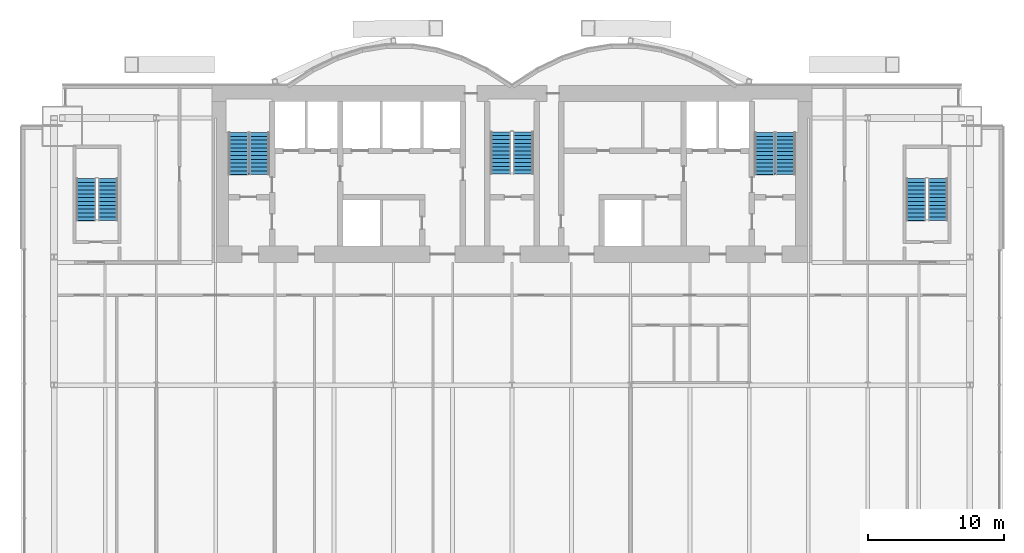
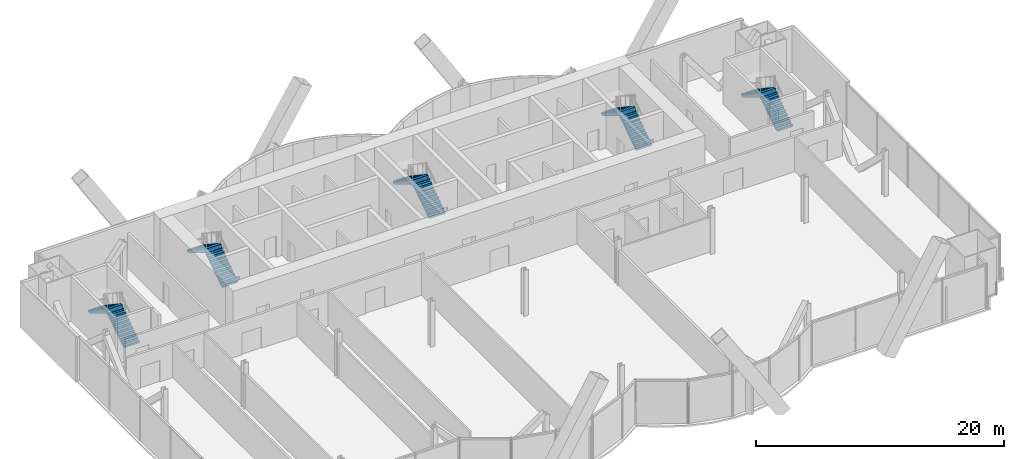
# One storey, part 19 of 22: 10 stair flights, 5 elements without a shape of their own.
"""IFC4 building model written with IfcOpenShell, lengths in metres."""

from ifc_helpers import new_model, si_unit, direction, frame, origin, place, context, subcontext, project, spatial, polyline, outline, extrude, material, type_object, element, aggregate, save


model = new_model("IFC4")

# Units and contexts
model_context = context("Model", 3, precision=1e-05, world=origin(), true_north=direction((0.0, 1.0)))
body_context = subcontext(model_context, "Body", "Model", "MODEL_VIEW")
ifc_project = project(units=[si_unit("LENGTHUNIT", "METRE"), si_unit("AREAUNIT", "SQUARE_METRE"), si_unit("VOLUMEUNIT", "CUBIC_METRE"), si_unit("PLANEANGLEUNIT", "RADIAN"), si_unit("MASSUNIT", "GRAM", prefix="KILO")], contexts=[model_context])

# Site, building, storey
site_placement = place(None, origin())
site = spatial("IfcSite", under=ifc_project, at=site_placement, CompositionType="ELEMENT")
building_placement = place(site_placement, origin())
building = spatial("IfcBuilding", under=site, at=building_placement, Name="Bicima Exchange Tower", CompositionType="ELEMENT")
storey_placement = place(building_placement, frame((0.0, 0.0, 71.0)))
storey = spatial("IfcBuildingStorey", under=building, at=storey_placement, Name="L14", CompositionType="ELEMENT", Elevation=71.0)

# Stair, stair flights
ifc_material = material(Name="Concrete C50/60", Category="concrete")
stair_type_1 = type_object("IfcStairType", Name="Exit stair", PredefinedType="HALF_TURN_STAIR", material=ifc_material)
stair_1_placement = place(storey_placement, origin())
stair_1 = element("IfcStair", 1, at=stair_1_placement, inside=storey, type_object=stair_type_1, Name="L14 West exit stair", PredefinedType="HALF_TURN_STAIR")
stair_flight_type_1 = type_object("IfcStairFlightType", Name="Stair flight RC", PredefinedType="STRAIGHT", material=ifc_material)
stair_flight_1_placement = place(storey_placement, frame((-18.52490234375, -6.550048828125, 0.0), z_axis=(0.0, 0.0, 1.0), x_axis=(0.0, 1.0, 0.0)))
stair_flight_1 = element("IfcStairFlight", 2, at=stair_flight_1_placement, type_object=stair_flight_type_1, Name="ST-W flight 1", NumberOfRisers=12, NumberOfTreads=11, PredefinedType="STRAIGHT", RiserHeight=0.1875, TreadLength=0.28, context=body_context, shape_type="SweptSolid", body=[
    extrude(outline(polyline([(0.0, 0.0), (0.0, 0.1875), (0.280029296875, 0.1875), (0.280029296875, 0.375), (0.56005859375, 0.375), (0.56005859375, 0.5625), (0.840087890625, 0.5625), (0.840087890625, 0.75), (1.1201171875, 0.75), (1.1201171875, 0.9375), (1.39990234375, 0.9375), (1.39990234375, 1.125), (1.679931640625, 1.125), (1.679931640625, 1.3125), (1.9599609375, 1.3125), (1.9599609375, 1.5), (2.239990234375, 1.5), (2.239990234375, 1.6875), (2.52001953125, 1.6875), (2.52001953125, 1.875), (2.800048828125, 1.875), (2.800048828125, 2.0625), (3.080078125, 2.0625), (3.080078125, 2.25), (3.080078125, 1.882080078125), (0.26953125, 0.0), (0.0, 0.0)])), frame((0.0, 0.72509765625, 0.0), z_axis=(0.0, -1.0, 0.0), x_axis=(1.0, 0.0, 0.0)), (0.0, 0.0, 1.0), 1.449951171875),
])
stair_flight_2_placement = place(storey_placement, frame((-20.074951171875, -3.469970703125, 2.25), z_axis=(0.0, 0.0, 1.0), x_axis=(0.0, -1.0, 0.0)))
stair_flight_2 = element("IfcStairFlight", 3, at=stair_flight_2_placement, type_object=stair_flight_type_1, Name="ST-W flight 2", NumberOfRisers=12, NumberOfTreads=11, PredefinedType="STRAIGHT", RiserHeight=0.1875, TreadLength=0.28, context=body_context, shape_type="SweptSolid", body=[
    extrude(outline(polyline([(0.0, 0.0), (0.0, 0.1875), (0.280029296875, 0.1875), (0.280029296875, 0.375), (0.56005859375, 0.375), (0.56005859375, 0.5625), (0.840087890625, 0.5625), (0.840087890625, 0.75), (1.1201171875, 0.75), (1.1201171875, 0.9375), (1.39990234375, 0.9375), (1.39990234375, 1.125), (1.679931640625, 1.125), (1.679931640625, 1.3125), (1.9599609375, 1.3125), (1.9599609375, 1.5), (2.239990234375, 1.5), (2.239990234375, 1.6875), (2.52001953125, 1.6875), (2.52001953125, 1.875), (2.800048828125, 1.875), (2.800048828125, 2.0625), (3.080078125, 2.0625), (3.080078125, 2.10400390625), (3.094970703125, 2.10400390625), (3.094970703125, 1.70458984375), (0.26953125, 0.0), (0.0, 0.0)])), frame((0.0, 0.72509765625, 0.0), z_axis=(0.0, -1.0, 0.0), x_axis=(1.0, 0.0, 0.0)), (0.0, 0.0, 1.0), 1.449951171875),
])
aggregate(stair_1, [stair_flight_1, stair_flight_2])

stair_2_placement = place(storey_placement, origin())
stair_2 = element("IfcStair", 4, at=stair_2_placement, inside=storey, type_object=stair_type_1, Name="L14 East exit stair", PredefinedType="HALF_TURN_STAIR")
stair_flight_3_placement = place(storey_placement, frame((20.074951171875, -6.550048828125, 0.0), z_axis=(0.0, 0.0, 1.0), x_axis=(0.0, 1.0, 0.0)))
stair_flight_3 = element("IfcStairFlight", 5, at=stair_flight_3_placement, type_object=stair_flight_type_1, Name="ST-E flight 1", NumberOfRisers=12, NumberOfTreads=11, PredefinedType="STRAIGHT", RiserHeight=0.1875, TreadLength=0.28, context=body_context, shape_type="SweptSolid", body=[
    extrude(outline(polyline([(0.0, 0.0), (0.0, 0.1875), (0.280029296875, 0.1875), (0.280029296875, 0.375), (0.56005859375, 0.375), (0.56005859375, 0.5625), (0.840087890625, 0.5625), (0.840087890625, 0.75), (1.1201171875, 0.75), (1.1201171875, 0.9375), (1.39990234375, 0.9375), (1.39990234375, 1.125), (1.679931640625, 1.125), (1.679931640625, 1.3125), (1.9599609375, 1.3125), (1.9599609375, 1.5), (2.239990234375, 1.5), (2.239990234375, 1.6875), (2.52001953125, 1.6875), (2.52001953125, 1.875), (2.800048828125, 1.875), (2.800048828125, 2.0625), (3.080078125, 2.0625), (3.080078125, 2.25), (3.080078125, 1.882080078125), (0.26953125, 0.0), (0.0, 0.0)])), frame((0.0, 0.72509765625, 0.0), z_axis=(0.0, -1.0, 0.0), x_axis=(1.0, 0.0, 0.0)), (0.0, 0.0, 1.0), 1.449951171875),
])
stair_flight_4_placement = place(storey_placement, frame((18.52490234375, -3.469970703125, 2.25), z_axis=(0.0, 0.0, 1.0), x_axis=(0.0, -1.0, 0.0)))
stair_flight_4 = element("IfcStairFlight", 6, at=stair_flight_4_placement, type_object=stair_flight_type_1, Name="ST-E flight 2", NumberOfRisers=12, NumberOfTreads=11, PredefinedType="STRAIGHT", RiserHeight=0.1875, TreadLength=0.28, context=body_context, shape_type="SweptSolid", body=[
    extrude(outline(polyline([(0.0, 0.0), (0.0, 0.1875), (0.280029296875, 0.1875), (0.280029296875, 0.375), (0.56005859375, 0.375), (0.56005859375, 0.5625), (0.840087890625, 0.5625), (0.840087890625, 0.75), (1.1201171875, 0.75), (1.1201171875, 0.9375), (1.39990234375, 0.9375), (1.39990234375, 1.125), (1.679931640625, 1.125), (1.679931640625, 1.3125), (1.9599609375, 1.3125), (1.9599609375, 1.5), (2.239990234375, 1.5), (2.239990234375, 1.6875), (2.52001953125, 1.6875), (2.52001953125, 1.875), (2.800048828125, 1.875), (2.800048828125, 2.0625), (3.080078125, 2.0625), (3.080078125, 2.10400390625), (3.094970703125, 2.10400390625), (3.094970703125, 1.70458984375), (0.26953125, 0.0), (0.0, 0.0)])), frame((0.0, 0.72509765625, 0.0), z_axis=(0.0, -1.0, 0.0), x_axis=(1.0, 0.0, 0.0)), (0.0, 0.0, 1.0), 1.449951171875),
])
aggregate(stair_2, [stair_flight_3, stair_flight_4])

stair_3_placement = place(storey_placement, origin())
stair_3 = element("IfcStair", 7, at=stair_3_placement, inside=storey, type_object=stair_type_1, Name="L14 West end exit stair", PredefinedType="HALF_TURN_STAIR")
stair_flight_5_placement = place(storey_placement, frame((-29.64990234375, -9.925048828125, 0.0), z_axis=(0.0, 0.0, 1.0), x_axis=(0.0, 1.0, 0.0)))
stair_flight_5 = element("IfcStairFlight", 8, at=stair_flight_5_placement, type_object=stair_flight_type_1, Name="ST-WW flight 1", NumberOfRisers=12, NumberOfTreads=11, PredefinedType="STRAIGHT", RiserHeight=0.1875, TreadLength=0.28, context=body_context, shape_type="SweptSolid", body=[
    extrude(outline(polyline([(0.0, 0.0), (0.0, 0.1875), (0.280029296875, 0.1875), (0.280029296875, 0.375), (0.56005859375, 0.375), (0.56005859375, 0.5625), (0.840087890625, 0.5625), (0.840087890625, 0.75), (1.1201171875, 0.75), (1.1201171875, 0.9375), (1.39990234375, 0.9375), (1.39990234375, 1.125), (1.679931640625, 1.125), (1.679931640625, 1.3125), (1.9599609375, 1.3125), (1.9599609375, 1.5), (2.239990234375, 1.5), (2.239990234375, 1.6875), (2.52001953125, 1.6875), (2.52001953125, 1.875), (2.800048828125, 1.875), (2.800048828125, 2.0625), (3.080078125, 2.0625), (3.080078125, 2.25), (3.080078125, 1.882080078125), (0.26953125, 0.0), (0.0, 0.0)])), frame((0.0, 0.72509765625, 0.0), z_axis=(0.0, -1.0, 0.0), x_axis=(1.0, 0.0, 0.0)), (0.0, 0.0, 1.0), 1.449951171875),
])
stair_flight_6_placement = place(storey_placement, frame((-31.25, -6.844970703125, 2.25), z_axis=(0.0, 0.0, 1.0), x_axis=(0.0, -1.0, 0.0)))
stair_flight_6 = element("IfcStairFlight", 9, at=stair_flight_6_placement, type_object=stair_flight_type_1, Name="ST-WW flight 2", NumberOfRisers=12, NumberOfTreads=11, PredefinedType="STRAIGHT", RiserHeight=0.1875, TreadLength=0.28, context=body_context, shape_type="SweptSolid", body=[
    extrude(outline(polyline([(0.0, 0.0), (0.0, 0.1875), (0.280029296875, 0.1875), (0.280029296875, 0.375), (0.56005859375, 0.375), (0.56005859375, 0.5625), (0.840087890625, 0.5625), (0.840087890625, 0.75), (1.1201171875, 0.75), (1.1201171875, 0.9375), (1.39990234375, 0.9375), (1.39990234375, 1.125), (1.679931640625, 1.125), (1.679931640625, 1.3125), (1.9599609375, 1.3125), (1.9599609375, 1.5), (2.239990234375, 1.5), (2.239990234375, 1.6875), (2.52001953125, 1.6875), (2.52001953125, 1.875), (2.800048828125, 1.875), (2.800048828125, 2.0625), (3.080078125, 2.0625), (3.080078125, 2.10400390625), (3.094970703125, 2.10400390625), (3.094970703125, 1.70458984375), (0.26953125, 0.0), (0.0, 0.0)])), frame((0.0, 0.72509765625, 0.0), z_axis=(0.0, -1.0, 0.0), x_axis=(1.0, 0.0, 0.0)), (0.0, 0.0, 1.0), 1.449951171875),
])
aggregate(stair_3, [stair_flight_5, stair_flight_6])

stair_4_placement = place(storey_placement, origin())
stair_4 = element("IfcStair", 10, at=stair_4_placement, inside=storey, type_object=stair_type_1, Name="L14 East end exit stair", PredefinedType="HALF_TURN_STAIR")
stair_flight_7_placement = place(storey_placement, frame((31.25, -9.925048828125, 0.0), z_axis=(0.0, 0.0, 1.0), x_axis=(0.0, 1.0, 0.0)))
stair_flight_7 = element("IfcStairFlight", 11, at=stair_flight_7_placement, type_object=stair_flight_type_1, Name="ST-EE flight 1", NumberOfRisers=12, NumberOfTreads=11, PredefinedType="STRAIGHT", RiserHeight=0.1875, TreadLength=0.28, context=body_context, shape_type="SweptSolid", body=[
    extrude(outline(polyline([(0.0, 0.0), (0.0, 0.1875), (0.280029296875, 0.1875), (0.280029296875, 0.375), (0.56005859375, 0.375), (0.56005859375, 0.5625), (0.840087890625, 0.5625), (0.840087890625, 0.75), (1.1201171875, 0.75), (1.1201171875, 0.9375), (1.39990234375, 0.9375), (1.39990234375, 1.125), (1.679931640625, 1.125), (1.679931640625, 1.3125), (1.9599609375, 1.3125), (1.9599609375, 1.5), (2.239990234375, 1.5), (2.239990234375, 1.6875), (2.52001953125, 1.6875), (2.52001953125, 1.875), (2.800048828125, 1.875), (2.800048828125, 2.0625), (3.080078125, 2.0625), (3.080078125, 2.25), (3.080078125, 1.882080078125), (0.26953125, 0.0), (0.0, 0.0)])), frame((0.0, 0.72509765625, 0.0), z_axis=(0.0, -1.0, 0.0), x_axis=(1.0, 0.0, 0.0)), (0.0, 0.0, 1.0), 1.449951171875),
])
stair_flight_8_placement = place(storey_placement, frame((29.64990234375, -6.844970703125, 2.25), z_axis=(0.0, 0.0, 1.0), x_axis=(0.0, -1.0, 0.0)))
stair_flight_8 = element("IfcStairFlight", 12, at=stair_flight_8_placement, type_object=stair_flight_type_1, Name="ST-EE flight 2", NumberOfRisers=12, NumberOfTreads=11, PredefinedType="STRAIGHT", RiserHeight=0.1875, TreadLength=0.28, context=body_context, shape_type="SweptSolid", body=[
    extrude(outline(polyline([(0.0, 0.0), (0.0, 0.1875), (0.280029296875, 0.1875), (0.280029296875, 0.375), (0.56005859375, 0.375), (0.56005859375, 0.5625), (0.840087890625, 0.5625), (0.840087890625, 0.75), (1.1201171875, 0.75), (1.1201171875, 0.9375), (1.39990234375, 0.9375), (1.39990234375, 1.125), (1.679931640625, 1.125), (1.679931640625, 1.3125), (1.9599609375, 1.3125), (1.9599609375, 1.5), (2.239990234375, 1.5), (2.239990234375, 1.6875), (2.52001953125, 1.6875), (2.52001953125, 1.875), (2.800048828125, 1.875), (2.800048828125, 2.0625), (3.080078125, 2.0625), (3.080078125, 2.10400390625), (3.094970703125, 2.10400390625), (3.094970703125, 1.70458984375), (0.26953125, 0.0), (0.0, 0.0)])), frame((0.0, 0.72509765625, 0.0), z_axis=(0.0, -1.0, 0.0), x_axis=(1.0, 0.0, 0.0)), (0.0, 0.0, 1.0), 1.449951171875),
])
aggregate(stair_4, [stair_flight_7, stair_flight_8])

stair_type_2 = type_object("IfcStairType", Name="Exit stair 1500", PredefinedType="HALF_TURN_STAIR", material=ifc_material)
stair_5_placement = place(storey_placement, origin())
stair_5 = element("IfcStair", 13, at=stair_5_placement, inside=storey, type_object=stair_type_2, Name="L14 Central exit stair", PredefinedType="HALF_TURN_STAIR")
stair_flight_type_2 = type_object("IfcStairFlightType", Name="Stair flight RC 1500", PredefinedType="STRAIGHT", material=ifc_material)
stair_flight_9_placement = place(storey_placement, frame((0.824951171875, -6.5, 0.0), z_axis=(0.0, 0.0, 1.0), x_axis=(0.0, 1.0, 0.0)))
stair_flight_9 = element("IfcStairFlight", 14, at=stair_flight_9_placement, type_object=stair_flight_type_2, Name="ST-C flight 1", NumberOfRisers=12, NumberOfTreads=11, PredefinedType="STRAIGHT", RiserHeight=0.1875, TreadLength=0.28, context=body_context, shape_type="SweptSolid", body=[
    extrude(outline(polyline([(0.0, 0.0), (0.0, 0.1875), (0.280029296875, 0.1875), (0.280029296875, 0.375), (0.56005859375, 0.375), (0.56005859375, 0.5625), (0.840087890625, 0.5625), (0.840087890625, 0.75), (1.1201171875, 0.75), (1.1201171875, 0.9375), (1.39990234375, 0.9375), (1.39990234375, 1.125), (1.679931640625, 1.125), (1.679931640625, 1.3125), (1.9599609375, 1.3125), (1.9599609375, 1.5), (2.239990234375, 1.5), (2.239990234375, 1.6875), (2.52001953125, 1.6875), (2.52001953125, 1.875), (2.800048828125, 1.875), (2.800048828125, 2.0625), (3.080078125, 2.0625), (3.080078125, 2.25), (3.080078125, 1.882080078125), (0.26953125, 0.0), (0.0, 0.0)])), frame((0.0, 0.75, 0.0), z_axis=(0.0, -1.0, 0.0), x_axis=(1.0, 0.0, 0.0)), (0.0, 0.0, 1.0), 1.5),
])
stair_flight_10_placement = place(storey_placement, frame((-0.824951171875, -3.419921875, 2.25), z_axis=(0.0, 0.0, 1.0), x_axis=(0.0, -1.0, 0.0)))
stair_flight_10 = element("IfcStairFlight", 15, at=stair_flight_10_placement, type_object=stair_flight_type_2, Name="ST-C flight 2", NumberOfRisers=12, NumberOfTreads=11, PredefinedType="STRAIGHT", RiserHeight=0.1875, TreadLength=0.28, context=body_context, shape_type="SweptSolid", body=[
    extrude(outline(polyline([(0.0, 0.0), (0.0, 0.1875), (0.280029296875, 0.1875), (0.280029296875, 0.375), (0.56005859375, 0.375), (0.56005859375, 0.5625), (0.840087890625, 0.5625), (0.840087890625, 0.75), (1.1201171875, 0.75), (1.1201171875, 0.9375), (1.39990234375, 0.9375), (1.39990234375, 1.125), (1.679931640625, 1.125), (1.679931640625, 1.3125), (1.9599609375, 1.3125), (1.9599609375, 1.5), (2.239990234375, 1.5), (2.239990234375, 1.6875), (2.52001953125, 1.6875), (2.52001953125, 1.875), (2.800048828125, 1.875), (2.800048828125, 2.0625), (3.080078125, 2.0625), (3.080078125, 2.10400390625), (3.094970703125, 2.10400390625), (3.094970703125, 1.70458984375), (0.26953125, 0.0), (0.0, 0.0)])), frame((0.0, 0.75, 0.0), z_axis=(0.0, -1.0, 0.0), x_axis=(1.0, 0.0, 0.0)), (0.0, 0.0, 1.0), 1.5),
])
aggregate(stair_5, [stair_flight_9, stair_flight_10])

save(model, "model.ifc")
